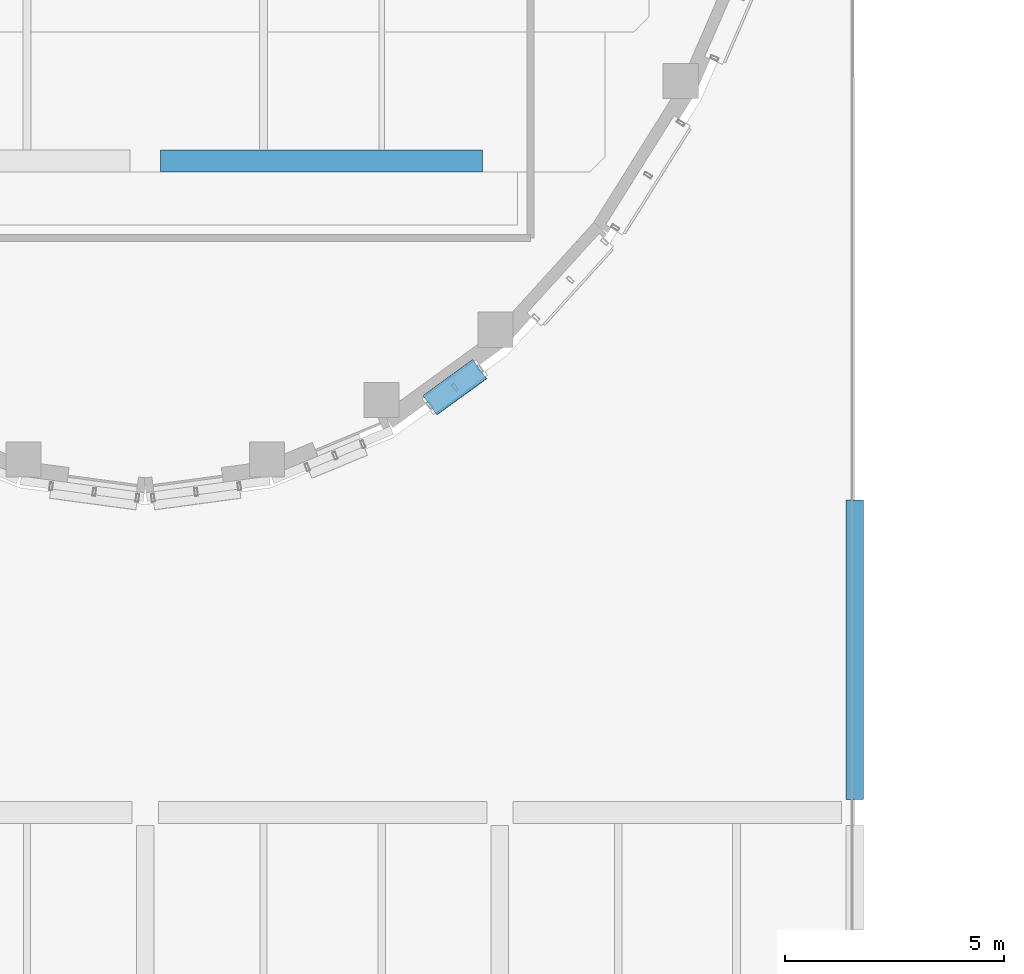
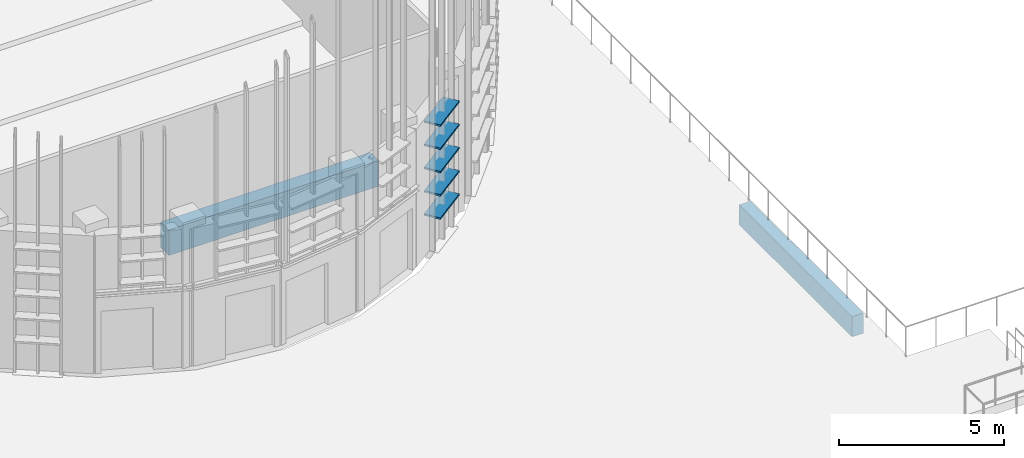
# One storey, part 53 of 372: 5 members, 2 beams.
"""IFC4 building model written with IfcOpenShell, lengths in metres."""

from ifc_helpers import new_model, si_unit, direction, frame, origin, origin_2d, place, context, subcontext, project, spatial, rectangle, hollow_rectangle, extrude, material, material_profile, profile_set, type_object, element, save


model = new_model("IFC4")

# Units and contexts
model_context = context("Model", 3, precision=1e-05, world=origin(), true_north=direction((0.0, 1.0)))
body_context = subcontext(model_context, "Body", "Model", "MODEL_VIEW")
ifc_project = project(units=[si_unit("LENGTHUNIT", "METRE"), si_unit("AREAUNIT", "SQUARE_METRE"), si_unit("VOLUMEUNIT", "CUBIC_METRE"), si_unit("PLANEANGLEUNIT", "RADIAN"), si_unit("MASSUNIT", "GRAM", prefix="KILO")], contexts=[model_context])

# Site, building, storey
site_placement = place(None, origin())
site = spatial("IfcSite", under=ifc_project, at=site_placement, CompositionType="ELEMENT")
building_placement = place(site_placement, origin())
building = spatial("IfcBuilding", under=site, at=building_placement, Name="Kaelora Sail Theatre", CompositionType="ELEMENT")
storey_placement = place(building_placement, origin())
storey = spatial("IfcBuildingStorey", under=building, at=storey_placement, Name="L00", CompositionType="ELEMENT", Elevation=0.0)

# Members
ifc_material_1 = material(Name="Anodised aluminium 6063-T6", Category="aluminium")
ifc_material_profile_1 = material_profile(ifc_material_1, hollow_rectangle(XDim=0.550048828125, YDim=0.06494140625, WallThickness=0.00390625, InnerFilletRadius=0.00390625, OuterFilletRadius=0.008056640625, at=origin_2d()), Name="LOUVRE 550x65x4")
ifc_profile_set_1 = profile_set([ifc_material_profile_1], Name="Anodised aluminium 6063-T6")
member_type = type_object("IfcMemberType", Name="ARC-MEM-LVR-300", PredefinedType="USERDEFINED", material=ifc_profile_set_1)
for number, where, z_axis, x_axis, name in (
    (1, (49.636962890625, 26.50634765625, 1.25), (-0.808991251883, -0.587820682162, 0.0), (0.587820682162, -0.808991251883, 0.0), "Main Theatre Sail Drum horizontal solar louvre C9-01"),
    (2, (49.636962890625, 26.50634765625, 2.110107421875), (-0.808991251883, -0.587820682162, 0.0), (0.587820682162, -0.808991251883, 0.0), "Main Theatre Sail Drum horizontal solar louvre C9-02"),
    (3, (49.636962890625, 26.50634765625, 2.969970703125), (-0.808991251883, -0.587820682162, 0.0), (0.587820682162, -0.808991251883, 0.0), "Main Theatre Sail Drum horizontal solar louvre C9-03"),
    (4, (49.636962890625, 26.50634765625, 3.830078125), (-0.808991251883, -0.587820682162, 0.0), (0.587820682162, -0.808991251883, 0.0), "Main Theatre Sail Drum horizontal solar louvre C9-04"),
    (5, (49.636962890625, 26.50634765625, 4.68994140625), (-0.808991251883, -0.587820682162, 0.0), (0.587820682162, -0.808991251883, 0.0), "Main Theatre Sail Drum horizontal solar louvre C9-05"),
):
    element("IfcMember", number, at=place(storey_placement, frame(where, z_axis=z_axis, x_axis=x_axis)), inside=storey, type_object=member_type, Name=name, ObjectType="LOUVRE", PredefinedType="USERDEFINED", context=body_context, shape_type="SweptSolid", body=[
        extrude(hollow_rectangle(XDim=0.550048828125, YDim=0.06494140625, WallThickness=0.00390625, InnerFilletRadius=0.00390625, OuterFilletRadius=0.008056640625, at=origin_2d()), origin(), (0.0, 0.0, 1.0), 1.40625),
    ])

# Beams
ifc_material_2 = material(Name="Concrete C40/50", Category="concrete")
ifc_material_profile_2 = material_profile(ifc_material_2, rectangle(XDim=0.39990234375, YDim=0.75, at=origin_2d()), Name="RC-BM 400x750")
ifc_profile_set_2 = profile_set([ifc_material_profile_2], Name="Concrete C40/50")
beam_type_1 = type_object("IfcBeamType", Name="STR-BM-BM-RC4075", PredefinedType="BEAM", material=ifc_profile_set_2)
beam_1_placement = place(storey_placement, frame((58.199951171875, 16.679931640625, -0.695068359375), z_axis=(0.0, 1.0, 0.0), x_axis=(-1.0, 0.0, 0.0)))
element("IfcBeam", 6, at=beam_1_placement, inside=storey, type_object=beam_type_1, Name="Primary beam 8 C-D (L00)", PredefinedType="BEAM", context=body_context, shape_type="SweptSolid", body=[
    extrude(rectangle(XDim=0.39990234375, YDim=0.75, at=origin_2d()), origin(), (0.0, 0.0, 1.0), 6.840087890625),
])
ifc_material_3 = material(Name="Concrete C45/55", Category="concrete")
ifc_material_profile_3 = material_profile(ifc_material_3, rectangle(XDim=0.5, YDim=0.949951171875, at=origin_2d()), Name="RC-GRD 500x950")
ifc_profile_set_3 = profile_set([ifc_material_profile_3], Name="Concrete C45/55")
beam_type_2 = type_object("IfcBeamType", Name="STR-BM-GR-RC5095", PredefinedType="T_BEAM", material=ifc_profile_set_3)
beam_2_placement = place(storey_placement, frame((42.35009765625, 31.260009765625, -0.794921875), z_axis=(1.0, 0.0, 0.0), x_axis=(0.0, 1.0, 0.0)))
element("IfcBeam", 7, at=beam_2_placement, inside=storey, type_object=beam_type_2, Name="Primary beam E 6-7 (L00)", PredefinedType="T_BEAM", context=body_context, shape_type="SweptSolid", body=[
    extrude(rectangle(XDim=0.5, YDim=0.949951171875, at=origin_2d()), origin(), (0.0, 0.0, 1.0), 7.349853515625),
])

save(model, "model.ifc")
